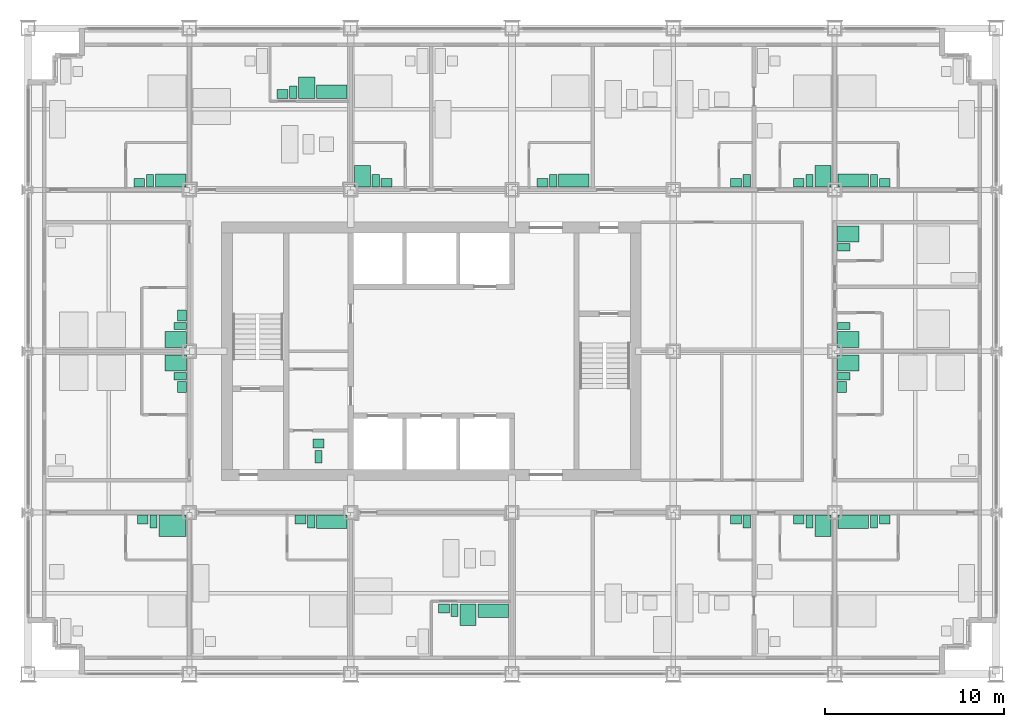
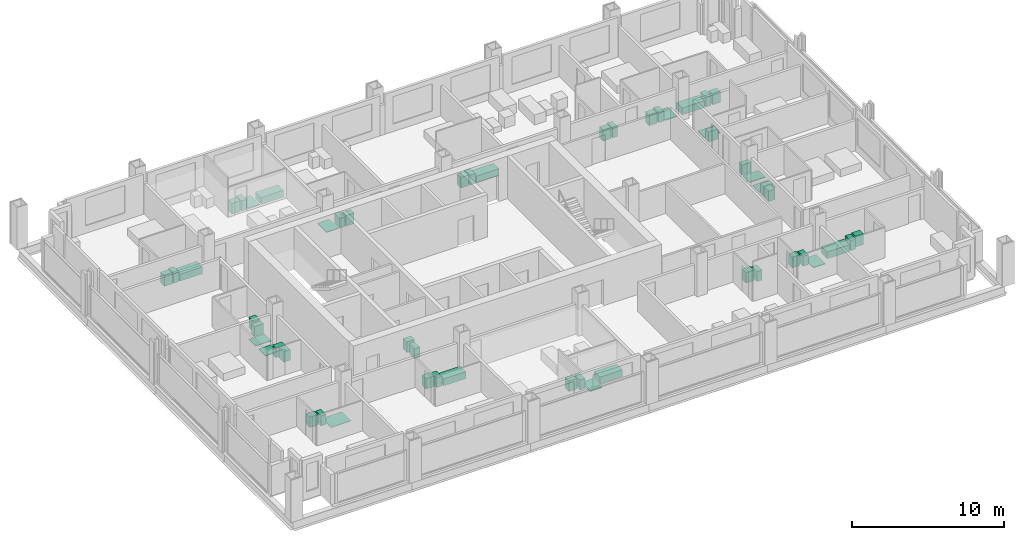
# One storey, part 17 of 18: 54 sanitary terminals.
"""IFC4 building model written with IfcOpenShell, lengths in metres."""

from ifc_helpers import new_model, si_unit, direction, frame, origin, origin_2d, place, context, subcontext, project, spatial, rectangle, extrude, element, save


model = new_model("IFC4")

# Units and contexts
model_context = context("Model", 3, precision=1e-05, world=origin(), true_north=direction((0.0, 1.0)))
body_context = subcontext(model_context, "Body", "Model", "MODEL_VIEW")
ifc_project = project(units=[si_unit("LENGTHUNIT", "METRE"), si_unit("AREAUNIT", "SQUARE_METRE"), si_unit("VOLUMEUNIT", "CUBIC_METRE"), si_unit("PLANEANGLEUNIT", "RADIAN"), si_unit("MASSUNIT", "GRAM", prefix="KILO")], contexts=[model_context])

# Site, building, storey
site_placement = place(None, origin())
site = spatial("IfcSite", under=ifc_project, at=site_placement, CompositionType="ELEMENT")
building_placement = place(site_placement, origin())
building = spatial("IfcBuilding", under=site, at=building_placement, Name="Loomwork Tower", CompositionType="ELEMENT")
storey_placement = place(building_placement, frame((0.0, 0.0, 79.0)))
storey = spatial("IfcBuildingStorey", under=building, at=storey_placement, Name="L20", CompositionType="ELEMENT", Elevation=79.0)

# Sanitary terminals
sanitary_terminal_1_placement = place(storey_placement, frame((8.050048828125, 8.25, 0.0), z_axis=(0.0, 0.0, 1.0), x_axis=(1.0, 0.0, 0.0)))
element("IfcSanitaryTerminal", 1, at=sanitary_terminal_1_placement, inside=storey, Name="Roll-in shower floor L20", PredefinedType="SHOWER", context=body_context, shape_type="SweptSolid", body=[
    extrude(rectangle(XDim=1.5, YDim=1.199951171875, at=origin_2d()), origin(), (0.0, 0.0, 1.0), 0.030029296875),
])
sanitary_terminal_2_placement = place(storey_placement, frame((7.0, 8.5, 0.0), z_axis=(0.0, 0.0, 1.0), x_axis=(1.0, 0.0, 0.0)))
element("IfcSanitaryTerminal", 2, at=sanitary_terminal_2_placement, inside=storey, Name="WC L20", PredefinedType="TOILETPAN", context=body_context, shape_type="SweptSolid", body=[
    extrude(rectangle(XDim=0.39990234375, YDim=0.699951171875, at=origin_2d()), origin(), (0.0, 0.0, 1.0), 0.800048828125),
])
sanitary_terminal_3_placement = place(storey_placement, frame((6.39990234375, 8.60009765625, 0.0), z_axis=(0.0, 0.0, 1.0), x_axis=(1.0, 0.0, 0.0)))
element("IfcSanitaryTerminal", 3, at=sanitary_terminal_3_placement, inside=storey, Name="Basin vanity L20", PredefinedType="WASHHANDBASIN", context=body_context, shape_type="SweptSolid", body=[
    extrude(rectangle(XDim=0.60009765625, YDim=0.5, at=origin_2d()), origin(), (0.0, 0.0, 1.0), 0.85009765625),
])
sanitary_terminal_4_placement = place(storey_placement, frame((16.949951171875, 8.47509765625, 0.0), z_axis=(0.0, 0.0, 1.0), x_axis=(1.0, 0.0, 0.0)))
element("IfcSanitaryTerminal", 4, at=sanitary_terminal_4_placement, inside=storey, Name="Bath L20", PredefinedType="BATH", context=body_context, shape_type="SweptSolid", body=[
    extrude(rectangle(XDim=1.699951171875, YDim=0.75, at=origin_2d()), origin(), (0.0, 0.0, 1.0), 0.550048828125),
])
sanitary_terminal_5_placement = place(storey_placement, frame((15.800048828125, 8.5, 0.0), z_axis=(0.0, 0.0, 1.0), x_axis=(1.0, 0.0, 0.0)))
element("IfcSanitaryTerminal", 5, at=sanitary_terminal_5_placement, inside=storey, Name="WC L20", PredefinedType="TOILETPAN", context=body_context, shape_type="SweptSolid", body=[
    extrude(rectangle(XDim=0.39990234375, YDim=0.699951171875, at=origin_2d()), origin(), (0.0, 0.0, 1.0), 0.800048828125),
])
sanitary_terminal_6_placement = place(storey_placement, frame((15.199951171875, 8.60009765625, 0.0), z_axis=(0.0, 0.0, 1.0), x_axis=(1.0, 0.0, 0.0)))
element("IfcSanitaryTerminal", 6, at=sanitary_terminal_6_placement, inside=storey, Name="Basin vanity L20", PredefinedType="WASHHANDBASIN", context=body_context, shape_type="SweptSolid", body=[
    extrude(rectangle(XDim=0.60009765625, YDim=0.5, at=origin_2d()), origin(), (0.0, 0.0, 1.0), 0.85009765625),
])
sanitary_terminal_7_placement = place(storey_placement, frame((25.949951171875, 3.52490234375, 0.0), z_axis=(0.0, 0.0, 1.0), x_axis=(1.0, 0.0, 0.0)))
element("IfcSanitaryTerminal", 7, at=sanitary_terminal_7_placement, inside=storey, Name="Bath L20", PredefinedType="BATH", context=body_context, shape_type="SweptSolid", body=[
    extrude(rectangle(XDim=1.699951171875, YDim=0.75, at=origin_2d()), origin(), (0.0, 0.0, 1.0), 0.550048828125),
])
sanitary_terminal_8_placement = place(storey_placement, frame((24.550048828125, 3.300048828125, 0.0), z_axis=(0.0, 0.0, 1.0), x_axis=(1.0, 0.0, 0.0)))
element("IfcSanitaryTerminal", 8, at=sanitary_terminal_8_placement, inside=storey, Name="Shower tray L20", PredefinedType="SHOWER", context=body_context, shape_type="SweptSolid", body=[
    extrude(rectangle(XDim=0.89990234375, YDim=1.199951171875, at=origin_2d()), origin(), (0.0, 0.0, 1.0), 0.050048828125),
])
sanitary_terminal_9_placement = place(storey_placement, frame((23.800048828125, 3.550048828125, 0.0), z_axis=(0.0, 0.0, 1.0), x_axis=(1.0, 0.0, 0.0)))
element("IfcSanitaryTerminal", 9, at=sanitary_terminal_9_placement, inside=storey, Name="WC L20", PredefinedType="TOILETPAN", context=body_context, shape_type="SweptSolid", body=[
    extrude(rectangle(XDim=0.39990234375, YDim=0.699951171875, at=origin_2d()), origin(), (0.0, 0.0, 1.0), 0.800048828125),
])
sanitary_terminal_10_placement = place(storey_placement, frame((23.199951171875, 3.64990234375, 0.0), z_axis=(0.0, 0.0, 1.0), x_axis=(1.0, 0.0, 0.0)))
element("IfcSanitaryTerminal", 10, at=sanitary_terminal_10_placement, inside=storey, Name="Basin vanity L20", PredefinedType="WASHHANDBASIN", context=body_context, shape_type="SweptSolid", body=[
    extrude(rectangle(XDim=0.60009765625, YDim=0.5, at=origin_2d()), origin(), (0.0, 0.0, 1.0), 0.85009765625),
])
sanitary_terminal_11_placement = place(storey_placement, frame((40.10009765625, 8.5, 0.0), z_axis=(0.0, 0.0, 1.0), x_axis=(1.0, 0.0, 0.0)))
element("IfcSanitaryTerminal", 11, at=sanitary_terminal_11_placement, inside=storey, Name="WC L20", PredefinedType="TOILETPAN", context=body_context, shape_type="SweptSolid", body=[
    extrude(rectangle(XDim=0.39990234375, YDim=0.699951171875, at=origin_2d()), origin(), (0.0, 0.0, 1.0), 0.800048828125),
])
sanitary_terminal_12_placement = place(storey_placement, frame((39.5, 8.60009765625, 0.0), z_axis=(0.0, 0.0, 1.0), x_axis=(1.0, 0.0, 0.0)))
element("IfcSanitaryTerminal", 12, at=sanitary_terminal_12_placement, inside=storey, Name="Basin vanity L20", PredefinedType="WASHHANDBASIN", context=body_context, shape_type="SweptSolid", body=[
    extrude(rectangle(XDim=0.60009765625, YDim=0.5, at=origin_2d()), origin(), (0.0, 0.0, 1.0), 0.85009765625),
])
sanitary_terminal_13_placement = place(storey_placement, frame((44.35009765625, 8.25, 0.0), z_axis=(0.0, 0.0, 1.0), x_axis=(1.0, 0.0, 0.0)))
element("IfcSanitaryTerminal", 13, at=sanitary_terminal_13_placement, inside=storey, Name="Shower tray L20", PredefinedType="SHOWER", context=body_context, shape_type="SweptSolid", body=[
    extrude(rectangle(XDim=0.89990234375, YDim=1.199951171875, at=origin_2d()), origin(), (0.0, 0.0, 1.0), 0.050048828125),
])
sanitary_terminal_14_placement = place(storey_placement, frame((43.60009765625, 8.5, 0.0), z_axis=(0.0, 0.0, 1.0), x_axis=(1.0, 0.0, 0.0)))
element("IfcSanitaryTerminal", 14, at=sanitary_terminal_14_placement, inside=storey, Name="WC L20", PredefinedType="TOILETPAN", context=body_context, shape_type="SweptSolid", body=[
    extrude(rectangle(XDim=0.39990234375, YDim=0.699951171875, at=origin_2d()), origin(), (0.0, 0.0, 1.0), 0.800048828125),
])
sanitary_terminal_15_placement = place(storey_placement, frame((43.0, 8.60009765625, 0.0), z_axis=(0.0, 0.0, 1.0), x_axis=(1.0, 0.0, 0.0)))
element("IfcSanitaryTerminal", 15, at=sanitary_terminal_15_placement, inside=storey, Name="Basin vanity L20", PredefinedType="WASHHANDBASIN", context=body_context, shape_type="SweptSolid", body=[
    extrude(rectangle(XDim=0.60009765625, YDim=0.5, at=origin_2d()), origin(), (0.0, 0.0, 1.0), 0.85009765625),
])
sanitary_terminal_16_placement = place(storey_placement, frame((46.050048828125, 8.47509765625, 0.0), z_axis=(0.0, 0.0, 1.0), x_axis=(1.0, 0.0, 0.0)))
element("IfcSanitaryTerminal", 16, at=sanitary_terminal_16_placement, inside=storey, Name="Bath L20", PredefinedType="BATH", context=body_context, shape_type="SweptSolid", body=[
    extrude(rectangle(XDim=1.699951171875, YDim=0.75, at=origin_2d()), origin(), (0.0, 0.0, 1.0), 0.550048828125),
])
sanitary_terminal_17_placement = place(storey_placement, frame((47.199951171875, 8.5, 0.0), z_axis=(0.0, 0.0, 1.0), x_axis=(1.0, 0.0, 0.0)))
element("IfcSanitaryTerminal", 17, at=sanitary_terminal_17_placement, inside=storey, Name="WC L20", PredefinedType="TOILETPAN", context=body_context, shape_type="SweptSolid", body=[
    extrude(rectangle(XDim=0.39990234375, YDim=0.699951171875, at=origin_2d()), origin(), (0.0, 0.0, 1.0), 0.800048828125),
])
sanitary_terminal_18_placement = place(storey_placement, frame((47.800048828125, 8.60009765625, 0.0), z_axis=(0.0, 0.0, 1.0), x_axis=(1.0, 0.0, 0.0)))
element("IfcSanitaryTerminal", 18, at=sanitary_terminal_18_placement, inside=storey, Name="Basin vanity L20", PredefinedType="WASHHANDBASIN", context=body_context, shape_type="SweptSolid", body=[
    extrude(rectangle(XDim=0.60009765625, YDim=0.5, at=origin_2d()), origin(), (0.0, 0.0, 1.0), 0.85009765625),
])
sanitary_terminal_19_placement = place(storey_placement, frame((7.949951171875, 27.52490234375, 0.0), z_axis=(0.0, 0.0, 1.0), x_axis=(1.0, 0.0, 0.0)))
element("IfcSanitaryTerminal", 19, at=sanitary_terminal_19_placement, inside=storey, Name="Bath L20", PredefinedType="BATH", context=body_context, shape_type="SweptSolid", body=[
    extrude(rectangle(XDim=1.699951171875, YDim=0.75, at=origin_2d()), origin(), (0.0, 0.0, 1.0), 0.550048828125),
])
sanitary_terminal_20_placement = place(storey_placement, frame((6.800048828125, 27.5, 0.0), z_axis=(0.0, 0.0, 1.0), x_axis=(1.0, 0.0, 0.0)))
element("IfcSanitaryTerminal", 20, at=sanitary_terminal_20_placement, inside=storey, Name="WC L20", PredefinedType="TOILETPAN", context=body_context, shape_type="SweptSolid", body=[
    extrude(rectangle(XDim=0.39990234375, YDim=0.699951171875, at=origin_2d()), origin(), (0.0, 0.0, 1.0), 0.800048828125),
])
sanitary_terminal_21_placement = place(storey_placement, frame((6.199951171875, 27.39990234375, 0.0), z_axis=(0.0, 0.0, 1.0), x_axis=(1.0, 0.0, 0.0)))
element("IfcSanitaryTerminal", 21, at=sanitary_terminal_21_placement, inside=storey, Name="Basin vanity L20", PredefinedType="WASHHANDBASIN", context=body_context, shape_type="SweptSolid", body=[
    extrude(rectangle(XDim=0.60009765625, YDim=0.5, at=origin_2d()), origin(), (0.0, 0.0, 1.0), 0.85009765625),
])
sanitary_terminal_22_placement = place(storey_placement, frame((16.949951171875, 32.47509765625, 0.0), z_axis=(0.0, 0.0, 1.0), x_axis=(1.0, 0.0, 0.0)))
element("IfcSanitaryTerminal", 22, at=sanitary_terminal_22_placement, inside=storey, Name="Bath L20", PredefinedType="BATH", context=body_context, shape_type="SweptSolid", body=[
    extrude(rectangle(XDim=1.699951171875, YDim=0.75, at=origin_2d()), origin(), (0.0, 0.0, 1.0), 0.550048828125),
])
sanitary_terminal_23_placement = place(storey_placement, frame((15.550048828125, 32.699951171875, 0.0), z_axis=(0.0, 0.0, 1.0), x_axis=(1.0, 0.0, 0.0)))
element("IfcSanitaryTerminal", 23, at=sanitary_terminal_23_placement, inside=storey, Name="Shower tray L20", PredefinedType="SHOWER", context=body_context, shape_type="SweptSolid", body=[
    extrude(rectangle(XDim=0.89990234375, YDim=1.199951171875, at=origin_2d()), origin(), (0.0, 0.0, 1.0), 0.050048828125),
])
sanitary_terminal_24_placement = place(storey_placement, frame((14.800048828125, 32.449951171875, 0.0), z_axis=(0.0, 0.0, 1.0), x_axis=(1.0, 0.0, 0.0)))
element("IfcSanitaryTerminal", 24, at=sanitary_terminal_24_placement, inside=storey, Name="WC L20", PredefinedType="TOILETPAN", context=body_context, shape_type="SweptSolid", body=[
    extrude(rectangle(XDim=0.39990234375, YDim=0.699951171875, at=origin_2d()), origin(), (0.0, 0.0, 1.0), 0.800048828125),
])
sanitary_terminal_25_placement = place(storey_placement, frame((14.199951171875, 32.35009765625, 0.0), z_axis=(0.0, 0.0, 1.0), x_axis=(1.0, 0.0, 0.0)))
element("IfcSanitaryTerminal", 25, at=sanitary_terminal_25_placement, inside=storey, Name="Basin vanity L20", PredefinedType="WASHHANDBASIN", context=body_context, shape_type="SweptSolid", body=[
    extrude(rectangle(XDim=0.60009765625, YDim=0.5, at=origin_2d()), origin(), (0.0, 0.0, 1.0), 0.85009765625),
])
sanitary_terminal_26_placement = place(storey_placement, frame((18.64990234375, 27.75, 0.0), z_axis=(0.0, 0.0, 1.0), x_axis=(1.0, 0.0, 0.0)))
element("IfcSanitaryTerminal", 26, at=sanitary_terminal_26_placement, inside=storey, Name="Shower tray L20", PredefinedType="SHOWER", context=body_context, shape_type="SweptSolid", body=[
    extrude(rectangle(XDim=0.89990234375, YDim=1.199951171875, at=origin_2d()), origin(), (0.0, 0.0, 1.0), 0.050048828125),
])
sanitary_terminal_27_placement = place(storey_placement, frame((19.39990234375, 27.5, 0.0), z_axis=(0.0, 0.0, 1.0), x_axis=(1.0, 0.0, 0.0)))
element("IfcSanitaryTerminal", 27, at=sanitary_terminal_27_placement, inside=storey, Name="WC L20", PredefinedType="TOILETPAN", context=body_context, shape_type="SweptSolid", body=[
    extrude(rectangle(XDim=0.39990234375, YDim=0.699951171875, at=origin_2d()), origin(), (0.0, 0.0, 1.0), 0.800048828125),
])
sanitary_terminal_28_placement = place(storey_placement, frame((20.0, 27.39990234375, 0.0), z_axis=(0.0, 0.0, 1.0), x_axis=(1.0, 0.0, 0.0)))
element("IfcSanitaryTerminal", 28, at=sanitary_terminal_28_placement, inside=storey, Name="Basin vanity L20", PredefinedType="WASHHANDBASIN", context=body_context, shape_type="SweptSolid", body=[
    extrude(rectangle(XDim=0.60009765625, YDim=0.5, at=origin_2d()), origin(), (0.0, 0.0, 1.0), 0.85009765625),
])
sanitary_terminal_29_placement = place(storey_placement, frame((30.449951171875, 27.52490234375, 0.0), z_axis=(0.0, 0.0, 1.0), x_axis=(1.0, 0.0, 0.0)))
element("IfcSanitaryTerminal", 29, at=sanitary_terminal_29_placement, inside=storey, Name="Bath L20", PredefinedType="BATH", context=body_context, shape_type="SweptSolid", body=[
    extrude(rectangle(XDim=1.699951171875, YDim=0.75, at=origin_2d()), origin(), (0.0, 0.0, 1.0), 0.550048828125),
])
sanitary_terminal_30_placement = place(storey_placement, frame((29.300048828125, 27.5, 0.0), z_axis=(0.0, 0.0, 1.0), x_axis=(1.0, 0.0, 0.0)))
element("IfcSanitaryTerminal", 30, at=sanitary_terminal_30_placement, inside=storey, Name="WC L20", PredefinedType="TOILETPAN", context=body_context, shape_type="SweptSolid", body=[
    extrude(rectangle(XDim=0.39990234375, YDim=0.699951171875, at=origin_2d()), origin(), (0.0, 0.0, 1.0), 0.800048828125),
])
sanitary_terminal_31_placement = place(storey_placement, frame((28.699951171875, 27.39990234375, 0.0), z_axis=(0.0, 0.0, 1.0), x_axis=(1.0, 0.0, 0.0)))
element("IfcSanitaryTerminal", 31, at=sanitary_terminal_31_placement, inside=storey, Name="Basin vanity L20", PredefinedType="WASHHANDBASIN", context=body_context, shape_type="SweptSolid", body=[
    extrude(rectangle(XDim=0.60009765625, YDim=0.5, at=origin_2d()), origin(), (0.0, 0.0, 1.0), 0.85009765625),
])
sanitary_terminal_32_placement = place(storey_placement, frame((40.10009765625, 27.5, 0.0), z_axis=(0.0, 0.0, 1.0), x_axis=(1.0, 0.0, 0.0)))
element("IfcSanitaryTerminal", 32, at=sanitary_terminal_32_placement, inside=storey, Name="WC L20", PredefinedType="TOILETPAN", context=body_context, shape_type="SweptSolid", body=[
    extrude(rectangle(XDim=0.39990234375, YDim=0.699951171875, at=origin_2d()), origin(), (0.0, 0.0, 1.0), 0.800048828125),
])
sanitary_terminal_33_placement = place(storey_placement, frame((39.5, 27.39990234375, 0.0), z_axis=(0.0, 0.0, 1.0), x_axis=(1.0, 0.0, 0.0)))
element("IfcSanitaryTerminal", 33, at=sanitary_terminal_33_placement, inside=storey, Name="Basin vanity L20", PredefinedType="WASHHANDBASIN", context=body_context, shape_type="SweptSolid", body=[
    extrude(rectangle(XDim=0.60009765625, YDim=0.5, at=origin_2d()), origin(), (0.0, 0.0, 1.0), 0.85009765625),
])
sanitary_terminal_34_placement = place(storey_placement, frame((44.35009765625, 27.75, 0.0), z_axis=(0.0, 0.0, 1.0), x_axis=(1.0, 0.0, 0.0)))
element("IfcSanitaryTerminal", 34, at=sanitary_terminal_34_placement, inside=storey, Name="Shower tray L20", PredefinedType="SHOWER", context=body_context, shape_type="SweptSolid", body=[
    extrude(rectangle(XDim=0.89990234375, YDim=1.199951171875, at=origin_2d()), origin(), (0.0, 0.0, 1.0), 0.050048828125),
])
sanitary_terminal_35_placement = place(storey_placement, frame((43.60009765625, 27.5, 0.0), z_axis=(0.0, 0.0, 1.0), x_axis=(1.0, 0.0, 0.0)))
element("IfcSanitaryTerminal", 35, at=sanitary_terminal_35_placement, inside=storey, Name="WC L20", PredefinedType="TOILETPAN", context=body_context, shape_type="SweptSolid", body=[
    extrude(rectangle(XDim=0.39990234375, YDim=0.699951171875, at=origin_2d()), origin(), (0.0, 0.0, 1.0), 0.800048828125),
])
sanitary_terminal_36_placement = place(storey_placement, frame((43.0, 27.39990234375, 0.0), z_axis=(0.0, 0.0, 1.0), x_axis=(1.0, 0.0, 0.0)))
element("IfcSanitaryTerminal", 36, at=sanitary_terminal_36_placement, inside=storey, Name="Basin vanity L20", PredefinedType="WASHHANDBASIN", context=body_context, shape_type="SweptSolid", body=[
    extrude(rectangle(XDim=0.60009765625, YDim=0.5, at=origin_2d()), origin(), (0.0, 0.0, 1.0), 0.85009765625),
])
sanitary_terminal_37_placement = place(storey_placement, frame((46.050048828125, 27.52490234375, 0.0), z_axis=(0.0, 0.0, 1.0), x_axis=(1.0, 0.0, 0.0)))
element("IfcSanitaryTerminal", 37, at=sanitary_terminal_37_placement, inside=storey, Name="Bath L20", PredefinedType="BATH", context=body_context, shape_type="SweptSolid", body=[
    extrude(rectangle(XDim=1.699951171875, YDim=0.75, at=origin_2d()), origin(), (0.0, 0.0, 1.0), 0.550048828125),
])
sanitary_terminal_38_placement = place(storey_placement, frame((47.199951171875, 27.5, 0.0), z_axis=(0.0, 0.0, 1.0), x_axis=(1.0, 0.0, 0.0)))
element("IfcSanitaryTerminal", 38, at=sanitary_terminal_38_placement, inside=storey, Name="WC L20", PredefinedType="TOILETPAN", context=body_context, shape_type="SweptSolid", body=[
    extrude(rectangle(XDim=0.39990234375, YDim=0.699951171875, at=origin_2d()), origin(), (0.0, 0.0, 1.0), 0.800048828125),
])
sanitary_terminal_39_placement = place(storey_placement, frame((47.800048828125, 27.39990234375, 0.0), z_axis=(0.0, 0.0, 1.0), x_axis=(1.0, 0.0, 0.0)))
element("IfcSanitaryTerminal", 39, at=sanitary_terminal_39_placement, inside=storey, Name="Basin vanity L20", PredefinedType="WASHHANDBASIN", context=body_context, shape_type="SweptSolid", body=[
    extrude(rectangle(XDim=0.60009765625, YDim=0.5, at=origin_2d()), origin(), (0.0, 0.0, 1.0), 0.85009765625),
])
sanitary_terminal_40_placement = place(storey_placement, frame((8.25, 17.35009765625, 0.0), z_axis=(0.0, 0.0, 1.0), x_axis=(1.0, 0.0, 0.0)))
element("IfcSanitaryTerminal", 40, at=sanitary_terminal_40_placement, inside=storey, Name="Shower tray L20", PredefinedType="SHOWER", context=body_context, shape_type="SweptSolid", body=[
    extrude(rectangle(XDim=1.199951171875, YDim=0.89990234375, at=origin_2d()), origin(), (0.0, 0.0, 1.0), 0.050048828125),
])
sanitary_terminal_41_placement = place(storey_placement, frame((8.5, 16.60009765625, 0.0), z_axis=(0.0, 0.0, 1.0), x_axis=(1.0, 0.0, 0.0)))
element("IfcSanitaryTerminal", 41, at=sanitary_terminal_41_placement, inside=storey, Name="WC L20", PredefinedType="TOILETPAN", context=body_context, shape_type="SweptSolid", body=[
    extrude(rectangle(XDim=0.699951171875, YDim=0.39990234375, at=origin_2d()), origin(), (0.0, 0.0, 1.0), 0.800048828125),
])
sanitary_terminal_42_placement = place(storey_placement, frame((8.60009765625, 16.0, 0.0), z_axis=(0.0, 0.0, 1.0), x_axis=(1.0, 0.0, 0.0)))
element("IfcSanitaryTerminal", 42, at=sanitary_terminal_42_placement, inside=storey, Name="Basin vanity L20", PredefinedType="WASHHANDBASIN", context=body_context, shape_type="SweptSolid", body=[
    extrude(rectangle(XDim=0.5, YDim=0.60009765625, at=origin_2d()), origin(), (0.0, 0.0, 1.0), 0.85009765625),
])
sanitary_terminal_43_placement = place(storey_placement, frame((8.25, 18.64990234375, 0.0), z_axis=(0.0, 0.0, 1.0), x_axis=(1.0, 0.0, 0.0)))
element("IfcSanitaryTerminal", 43, at=sanitary_terminal_43_placement, inside=storey, Name="Shower tray L20", PredefinedType="SHOWER", context=body_context, shape_type="SweptSolid", body=[
    extrude(rectangle(XDim=1.199951171875, YDim=0.89990234375, at=origin_2d()), origin(), (0.0, 0.0, 1.0), 0.050048828125),
])
sanitary_terminal_44_placement = place(storey_placement, frame((8.5, 19.39990234375, 0.0), z_axis=(0.0, 0.0, 1.0), x_axis=(1.0, 0.0, 0.0)))
element("IfcSanitaryTerminal", 44, at=sanitary_terminal_44_placement, inside=storey, Name="WC L20", PredefinedType="TOILETPAN", context=body_context, shape_type="SweptSolid", body=[
    extrude(rectangle(XDim=0.699951171875, YDim=0.39990234375, at=origin_2d()), origin(), (0.0, 0.0, 1.0), 0.800048828125),
])
sanitary_terminal_45_placement = place(storey_placement, frame((8.60009765625, 20.0, 0.0), z_axis=(0.0, 0.0, 1.0), x_axis=(1.0, 0.0, 0.0)))
element("IfcSanitaryTerminal", 45, at=sanitary_terminal_45_placement, inside=storey, Name="Basin vanity L20", PredefinedType="WASHHANDBASIN", context=body_context, shape_type="SweptSolid", body=[
    extrude(rectangle(XDim=0.5, YDim=0.60009765625, at=origin_2d()), origin(), (0.0, 0.0, 1.0), 0.85009765625),
])
sanitary_terminal_46_placement = place(storey_placement, frame((45.75, 17.35009765625, 0.0), z_axis=(0.0, 0.0, 1.0), x_axis=(1.0, 0.0, 0.0)))
element("IfcSanitaryTerminal", 46, at=sanitary_terminal_46_placement, inside=storey, Name="Shower tray L20", PredefinedType="SHOWER", context=body_context, shape_type="SweptSolid", body=[
    extrude(rectangle(XDim=1.199951171875, YDim=0.89990234375, at=origin_2d()), origin(), (0.0, 0.0, 1.0), 0.050048828125),
])
sanitary_terminal_47_placement = place(storey_placement, frame((45.5, 16.60009765625, 0.0), z_axis=(0.0, 0.0, 1.0), x_axis=(1.0, 0.0, 0.0)))
element("IfcSanitaryTerminal", 47, at=sanitary_terminal_47_placement, inside=storey, Name="WC L20", PredefinedType="TOILETPAN", context=body_context, shape_type="SweptSolid", body=[
    extrude(rectangle(XDim=0.699951171875, YDim=0.39990234375, at=origin_2d()), origin(), (0.0, 0.0, 1.0), 0.800048828125),
])
sanitary_terminal_48_placement = place(storey_placement, frame((45.39990234375, 16.0, 0.0), z_axis=(0.0, 0.0, 1.0), x_axis=(1.0, 0.0, 0.0)))
element("IfcSanitaryTerminal", 48, at=sanitary_terminal_48_placement, inside=storey, Name="Basin vanity L20", PredefinedType="WASHHANDBASIN", context=body_context, shape_type="SweptSolid", body=[
    extrude(rectangle(XDim=0.5, YDim=0.60009765625, at=origin_2d()), origin(), (0.0, 0.0, 1.0), 0.85009765625),
])
sanitary_terminal_49_placement = place(storey_placement, frame((45.75, 18.64990234375, 0.0), z_axis=(0.0, 0.0, 1.0), x_axis=(1.0, 0.0, 0.0)))
element("IfcSanitaryTerminal", 49, at=sanitary_terminal_49_placement, inside=storey, Name="Shower tray L20", PredefinedType="SHOWER", context=body_context, shape_type="SweptSolid", body=[
    extrude(rectangle(XDim=1.199951171875, YDim=0.89990234375, at=origin_2d()), origin(), (0.0, 0.0, 1.0), 0.050048828125),
])
sanitary_terminal_50_placement = place(storey_placement, frame((45.5, 19.39990234375, 0.0), z_axis=(0.0, 0.0, 1.0), x_axis=(1.0, 0.0, 0.0)))
element("IfcSanitaryTerminal", 50, at=sanitary_terminal_50_placement, inside=storey, Name="WC L20", PredefinedType="TOILETPAN", context=body_context, shape_type="SweptSolid", body=[
    extrude(rectangle(XDim=0.699951171875, YDim=0.39990234375, at=origin_2d()), origin(), (0.0, 0.0, 1.0), 0.800048828125),
])
sanitary_terminal_51_placement = place(storey_placement, frame((45.75, 24.550048828125, 0.0), z_axis=(0.0, 0.0, 1.0), x_axis=(1.0, 0.0, 0.0)))
element("IfcSanitaryTerminal", 51, at=sanitary_terminal_51_placement, inside=storey, Name="Shower tray L20", PredefinedType="SHOWER", context=body_context, shape_type="SweptSolid", body=[
    extrude(rectangle(XDim=1.199951171875, YDim=0.89990234375, at=origin_2d()), origin(), (0.0, 0.0, 1.0), 0.050048828125),
])
sanitary_terminal_52_placement = place(storey_placement, frame((45.5, 23.800048828125, 0.0), z_axis=(0.0, 0.0, 1.0), x_axis=(1.0, 0.0, 0.0)))
element("IfcSanitaryTerminal", 52, at=sanitary_terminal_52_placement, inside=storey, Name="WC L20", PredefinedType="TOILETPAN", context=body_context, shape_type="SweptSolid", body=[
    extrude(rectangle(XDim=0.699951171875, YDim=0.39990234375, at=origin_2d()), origin(), (0.0, 0.0, 1.0), 0.800048828125),
])
sanitary_terminal_53_placement = place(storey_placement, frame((16.199951171875, 12.10009765625, 0.0), z_axis=(0.0, 0.0, 1.0), x_axis=(1.0, 0.0, 0.0)))
element("IfcSanitaryTerminal", 53, at=sanitary_terminal_53_placement, inside=storey, Name="WC L20", PredefinedType="TOILETPAN", context=body_context, shape_type="SweptSolid", body=[
    extrude(rectangle(XDim=0.39990234375, YDim=0.699951171875, at=origin_2d()), origin(), (0.0, 0.0, 1.0), 0.800048828125),
])
sanitary_terminal_54_placement = place(storey_placement, frame((16.199951171875, 12.85009765625, 0.0), z_axis=(0.0, 0.0, 1.0), x_axis=(1.0, 0.0, 0.0)))
element("IfcSanitaryTerminal", 54, at=sanitary_terminal_54_placement, inside=storey, Name="Basin L20", PredefinedType="WASHHANDBASIN", context=body_context, shape_type="SweptSolid", body=[
    extrude(rectangle(XDim=0.60009765625, YDim=0.5, at=origin_2d()), origin(), (0.0, 0.0, 1.0), 0.85009765625),
])

save(model, "model.ifc")
